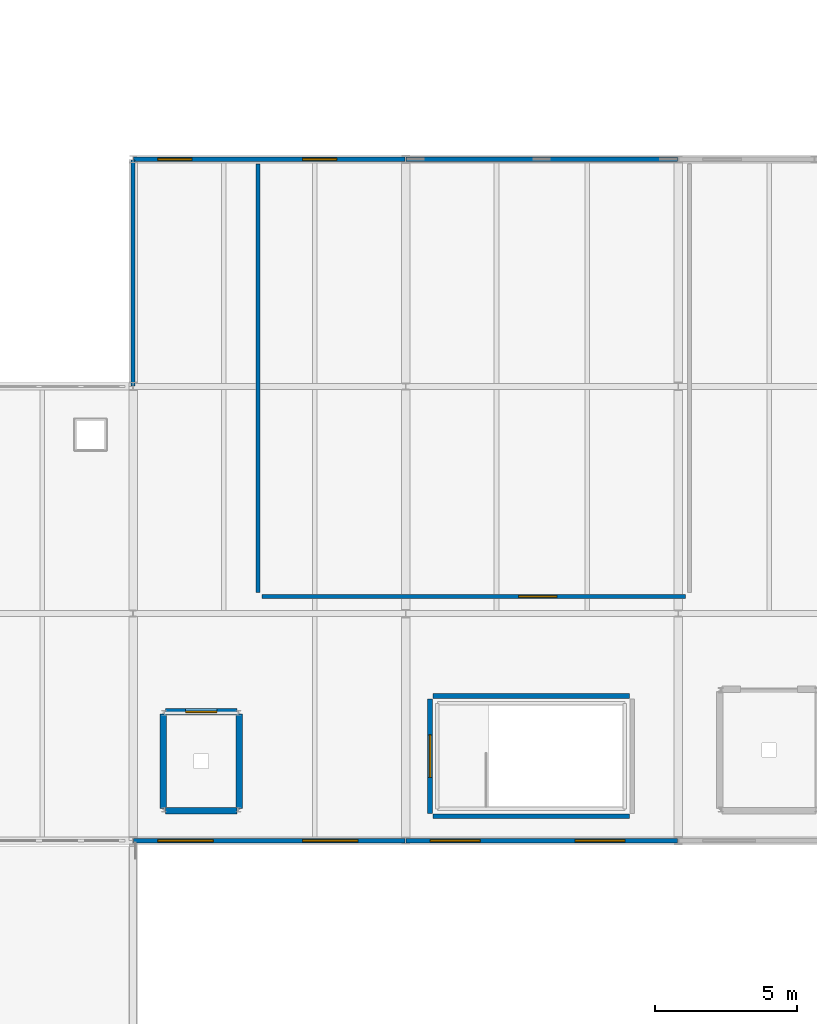
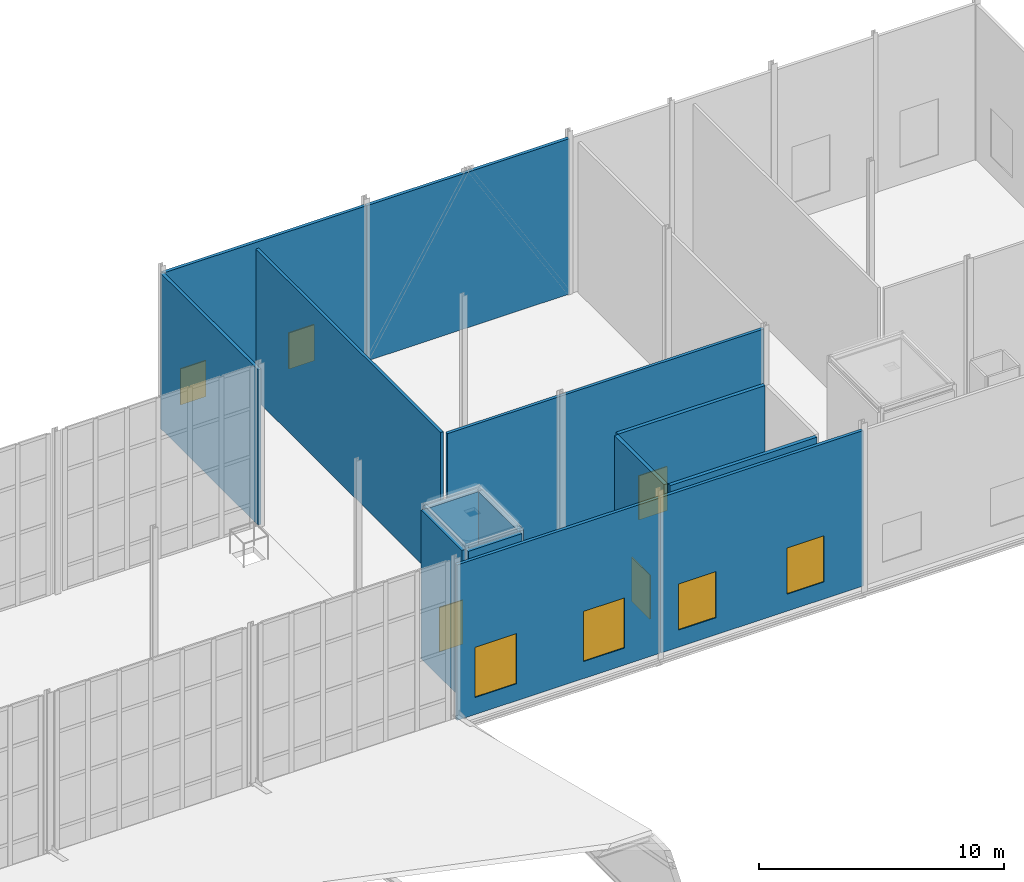
# One storey, part 66 of 73: 14 walls, 6 windows, 3 doors, 9 openings.
"""IFC4 building model written with IfcOpenShell, lengths in metres."""

from ifc_helpers import new_model, si_unit, direction, frame, frame_2d, origin, place, context, subcontext, project, spatial, rectangle, extrude, material, layer, layer_set, type_object, element, fill, save


model = new_model("IFC4")

# Units and contexts
model_context = context("Model", 3, precision=1e-05, world=origin(), true_north=direction((0.0, 1.0)))
body_context = subcontext(model_context, "Body", "Model", "MODEL_VIEW")
ifc_project = project(units=[si_unit("LENGTHUNIT", "METRE"), si_unit("AREAUNIT", "SQUARE_METRE"), si_unit("VOLUMEUNIT", "CUBIC_METRE"), si_unit("PLANEANGLEUNIT", "RADIAN"), si_unit("MASSUNIT", "GRAM", prefix="KILO")], contexts=[model_context])

# Site, building, storey
site_placement = place(None, origin())
site = spatial("IfcSite", under=ifc_project, at=site_placement, CompositionType="ELEMENT")
building_placement = place(site_placement, origin())
building = spatial("IfcBuilding", under=site, at=building_placement, Name="Alderhovde Museum", CompositionType="ELEMENT")
storey_placement = place(building_placement, frame((0.0, 0.0, 17.39990234375)))
storey = spatial("IfcBuildingStorey", under=building, at=storey_placement, Name="L04", CompositionType="ELEMENT", Elevation=17.39990234375)

# Wall, openings, windows
ifc_material_1 = material(Name="Limestone Ashlar Rainscreen Wall", Category="masonry")
ifc_layer_1 = layer(ifc_material_1, 0.14990234375)
ifc_layer_set_1 = layer_set([ifc_layer_1], Name="Limestone Ashlar Rainscreen Wall")
wall_type_1 = type_object("IfcWallType", Name="EW-LIME-340", PredefinedType="SOLIDWALL", material=ifc_layer_set_1)
wall_1_placement = place(storey_placement, frame((115.219970703125, 72.0, 0.0), z_axis=(0.0, 0.0, 1.0), x_axis=(1.0, 0.0, 0.0)))
wall_1 = element("IfcWall", 1, at=wall_1_placement, inside=storey, type_object=wall_type_1, Name="L04 Conservation South Beaux-Arts Wall 248", PredefinedType="SOLIDWALL", context=body_context, shape_type="SweptSolid", body=[
    extrude(rectangle(XDim=9.56005859375, YDim=0.14990234375, at=frame_2d((4.780029296875, 0.0))), origin(), (0.0, 0.0, 1.0), 7.75),
])
opening_1_placement = place(wall_1_placement, frame((0.85009765625, 0.0, 0.85009765625)))
opening_1 = element("IfcOpeningElement", 2, at=opening_1_placement, cuts=wall_1, Name="Opening W25", PredefinedType="OPENING", context=body_context, shape_type="SweptSolid", body=[
    extrude(rectangle(XDim=1.949951171875, YDim=2.5, at=frame_2d((0.97509765625, 1.25))), frame((0.0, 0.0849609375, 0.0), z_axis=(0.0, -1.0, 0.0), x_axis=(1.0, 0.0, 0.0)), (0.0, 0.0, 1.0), 0.169921875),
])
opening_2_placement = place(wall_1_placement, frame((5.949951171875, 0.0, 0.85009765625)))
opening_2 = element("IfcOpeningElement", 3, at=opening_2_placement, cuts=wall_1, Name="Opening W25", PredefinedType="OPENING", context=body_context, shape_type="SweptSolid", body=[
    extrude(rectangle(XDim=1.949951171875, YDim=2.5, at=frame_2d((0.97509765625, 1.25))), frame((0.0, 0.0849609375, 0.0), z_axis=(0.0, -1.0, 0.0), x_axis=(1.0, 0.0, 0.0)), (0.0, 0.0, 1.0), 0.169921875),
])
ifc_material_2 = material(Name="Triple-Glazed Low-E Bronze-Anodised Aluminium", Category="aluminium")
window_type_1 = type_object("IfcWindowType", Name="WIN-BA-1950x2500", PartitioningType="DOUBLE_PANEL_VERTICAL", PredefinedType="WINDOW", material=ifc_material_2)
window_1_placement = place(opening_1_placement, origin())
window_1 = element("IfcWindow", 4, at=window_1_placement, inside=storey, type_object=window_type_1, Name="L04 Facade Window 234", OverallHeight=2.5, OverallWidth=1.949951171875, PartitioningType="SINGLE_PANEL", PredefinedType="WINDOW", context=body_context, shape_type="SweptSolid", body=[
    extrude(rectangle(XDim=1.949951171875, YDim=2.5, at=frame_2d((0.97509765625, 1.25))), frame((0.0, 0.030029296875, 0.0), z_axis=(0.0, -1.0, 0.0), x_axis=(1.0, 0.0, 0.0)), (0.0, 0.0, 1.0), 0.06005859375),
])
fill(opening_1, window_1)
window_2_placement = place(opening_2_placement, origin())
window_2 = element("IfcWindow", 5, at=window_2_placement, inside=storey, type_object=window_type_1, Name="L04 Facade Window 235", OverallHeight=2.5, OverallWidth=1.949951171875, PartitioningType="SINGLE_PANEL", PredefinedType="WINDOW", context=body_context, shape_type="SweptSolid", body=[
    extrude(rectangle(XDim=1.949951171875, YDim=2.5, at=frame_2d((0.97509765625, 1.25))), frame((0.0, 0.030029296875, 0.0), z_axis=(0.0, -1.0, 0.0), x_axis=(1.0, 0.0, 0.0)), (0.0, 0.0, 1.0), 0.06005859375),
])
fill(opening_2, window_2)

wall_2_placement = place(storey_placement, frame((124.820068359375, 72.0, 0.0), z_axis=(0.0, 0.0, 1.0), x_axis=(1.0, 0.0, 0.0)))
wall_2 = element("IfcWall", 6, at=wall_2_placement, inside=storey, type_object=wall_type_1, Name="L04 Conservation South Beaux-Arts Wall 249", PredefinedType="SOLIDWALL", context=body_context, shape_type="SweptSolid", body=[
    extrude(rectangle(XDim=9.559814453125, YDim=0.14990234375, at=frame_2d((4.77978515625, 0.0))), origin(), (0.0, 0.0, 1.0), 7.75),
])
opening_3_placement = place(wall_2_placement, frame((0.85009765625, 0.0, 0.85009765625)))
opening_3 = element("IfcOpeningElement", 7, at=opening_3_placement, cuts=wall_2, Name="Opening W26", PredefinedType="OPENING", context=body_context, shape_type="SweptSolid", body=[
    extrude(rectangle(XDim=1.75, YDim=2.300048828125, at=frame_2d((0.875, 1.14990234375))), frame((0.0, 0.0849609375, 0.0), z_axis=(0.0, -1.0, 0.0), x_axis=(1.0, 0.0, 0.0)), (0.0, 0.0, 1.0), 0.169921875),
])
opening_4_placement = place(wall_2_placement, frame((5.949951171875, 0.0, 0.85009765625)))
opening_4 = element("IfcOpeningElement", 8, at=opening_4_placement, cuts=wall_2, Name="Opening W26", PredefinedType="OPENING", context=body_context, shape_type="SweptSolid", body=[
    extrude(rectangle(XDim=1.75, YDim=2.300048828125, at=frame_2d((0.875, 1.14990234375))), frame((0.0, 0.0849609375, 0.0), z_axis=(0.0, -1.0, 0.0), x_axis=(1.0, 0.0, 0.0)), (0.0, 0.0, 1.0), 0.169921875),
])
ifc_material_3 = material(Name="Triple-Glazed Low-E Bronze-Anodised Aluminium", Category="aluminium")
window_type_2 = type_object("IfcWindowType", Name="WIN-BA-1750x2300", PartitioningType="DOUBLE_PANEL_VERTICAL", PredefinedType="WINDOW", material=ifc_material_3)
window_3_placement = place(opening_3_placement, origin())
window_3 = element("IfcWindow", 9, at=window_3_placement, inside=storey, type_object=window_type_2, Name="L04 Facade Window 236", OverallHeight=2.300048828125, OverallWidth=1.75, PartitioningType="SINGLE_PANEL", PredefinedType="WINDOW", context=body_context, shape_type="SweptSolid", body=[
    extrude(rectangle(XDim=1.75, YDim=2.300048828125, at=frame_2d((0.875, 1.14990234375))), frame((0.0, 0.030029296875, 0.0), z_axis=(0.0, -1.0, 0.0), x_axis=(1.0, 0.0, 0.0)), (0.0, 0.0, 1.0), 0.06005859375),
])
fill(opening_3, window_3)
window_4_placement = place(opening_4_placement, origin())
window_4 = element("IfcWindow", 10, at=window_4_placement, inside=storey, type_object=window_type_2, Name="L04 Facade Window 237", OverallHeight=2.300048828125, OverallWidth=1.75, PartitioningType="SINGLE_PANEL", PredefinedType="WINDOW", context=body_context, shape_type="SweptSolid", body=[
    extrude(rectangle(XDim=1.75, YDim=2.300048828125, at=frame_2d((0.875, 1.14990234375))), frame((0.0, 0.030029296875, 0.0), z_axis=(0.0, -1.0, 0.0), x_axis=(1.0, 0.0, 0.0)), (0.0, 0.0, 1.0), 0.06005859375),
])
fill(opening_4, window_4)

wall_3_placement = place(storey_placement, frame((115.219970703125, 96.0, 0.0), z_axis=(0.0, 0.0, 1.0), x_axis=(1.0, 0.0, 0.0)))
wall_3 = element("IfcWall", 11, at=wall_3_placement, inside=storey, type_object=wall_type_1, Name="L04 Conservation North Beaux-Arts Wall 252", PredefinedType="SOLIDWALL", context=body_context, shape_type="SweptSolid", body=[
    extrude(rectangle(XDim=9.56005859375, YDim=0.14990234375, at=frame_2d((4.780029296875, 0.0))), origin(), (0.0, 0.0, 1.0), 7.75),
])
opening_5_placement = place(wall_3_placement, frame((0.85009765625, 0.0, 0.85009765625)))
opening_5 = element("IfcOpeningElement", 12, at=opening_5_placement, cuts=wall_3, Name="Opening W14", PredefinedType="OPENING", context=body_context, shape_type="SweptSolid", body=[
    extrude(rectangle(XDim=1.199951171875, YDim=1.800048828125, at=frame_2d((0.60009765625, 0.89990234375))), frame((0.0, 0.0849609375, 0.0), z_axis=(0.0, -1.0, 0.0), x_axis=(1.0, 0.0, 0.0)), (0.0, 0.0, 1.0), 0.169921875),
])
opening_6_placement = place(wall_3_placement, frame((5.949951171875, 0.0, 0.85009765625)))
opening_6 = element("IfcOpeningElement", 13, at=opening_6_placement, cuts=wall_3, Name="Opening W14", PredefinedType="OPENING", context=body_context, shape_type="SweptSolid", body=[
    extrude(rectangle(XDim=1.199951171875, YDim=1.800048828125, at=frame_2d((0.60009765625, 0.89990234375))), frame((0.0, 0.0849609375, 0.0), z_axis=(0.0, -1.0, 0.0), x_axis=(1.0, 0.0, 0.0)), (0.0, 0.0, 1.0), 0.169921875),
])
ifc_material_4 = material(Name="Triple-Glazed Low-E Bronze-Anodised Aluminium", Category="aluminium")
window_type_3 = type_object("IfcWindowType", Name="WIN-ATT-1200x1800", PartitioningType="SINGLE_PANEL", PredefinedType="WINDOW", material=ifc_material_4)
window_5_placement = place(opening_5_placement, origin())
window_5 = element("IfcWindow", 14, at=window_5_placement, inside=storey, type_object=window_type_3, Name="L04 Facade Window 242", OverallHeight=1.800048828125, OverallWidth=1.199951171875, PartitioningType="SINGLE_PANEL", PredefinedType="WINDOW", context=body_context, shape_type="SweptSolid", body=[
    extrude(rectangle(XDim=1.199951171875, YDim=1.800048828125, at=frame_2d((0.60009765625, 0.89990234375))), frame((0.0, 0.030029296875, 0.0), z_axis=(0.0, -1.0, 0.0), x_axis=(1.0, 0.0, 0.0)), (0.0, 0.0, 1.0), 0.06005859375),
])
fill(opening_5, window_5)
window_6_placement = place(opening_6_placement, origin())
window_6 = element("IfcWindow", 15, at=window_6_placement, inside=storey, type_object=window_type_3, Name="L04 Facade Window 243", OverallHeight=1.800048828125, OverallWidth=1.199951171875, PartitioningType="SINGLE_PANEL", PredefinedType="WINDOW", context=body_context, shape_type="SweptSolid", body=[
    extrude(rectangle(XDim=1.199951171875, YDim=1.800048828125, at=frame_2d((0.60009765625, 0.89990234375))), frame((0.0, 0.030029296875, 0.0), z_axis=(0.0, -1.0, 0.0), x_axis=(1.0, 0.0, 0.0)), (0.0, 0.0, 1.0), 0.06005859375),
])
fill(opening_6, window_6)

# Walls
wall_4_placement = place(storey_placement, frame((124.820068359375, 96.0, 0.0), z_axis=(0.0, 0.0, 1.0), x_axis=(1.0, 0.0, 0.0)))
element("IfcWall", 16, at=wall_4_placement, inside=storey, type_object=wall_type_1, Name="L04 Conservation North Beaux-Arts Wall 253", PredefinedType="SOLIDWALL", context=body_context, shape_type="SweptSolid", body=[
    extrude(rectangle(XDim=9.559814453125, YDim=0.14990234375, at=frame_2d((4.77978515625, 0.0))), origin(), (0.0, 0.0, 1.0), 7.75),
])
wall_5_placement = place(storey_placement, frame((115.199951171875, 88.02001953125, 0.0), z_axis=(0.0, 0.0, 1.0), x_axis=(0.0, 1.0, 0.0)))
element("IfcWall", 17, at=wall_5_placement, inside=storey, type_object=wall_type_1, Name="L04 Conservation West Return Wall 259", PredefinedType="SOLIDWALL", context=body_context, shape_type="SweptSolid", body=[
    extrude(rectangle(XDim=7.9599609375, YDim=0.14990234375, at=frame_2d((3.97998046875, 0.0))), origin(), (0.0, 0.0, 1.0), 7.75),
])

# Wall, opening, door
ifc_material_5 = material(Name="Hygienic Conservation Laboratory Partition")
ifc_layer_2 = layer(ifc_material_5, 0.139892578125)
ifc_layer_set_2 = layer_set([ifc_layer_2], Name="Hygienic Conservation Laboratory Partition")
wall_type_2 = type_object("IfcWallType", Name="IW-LAB-140", PredefinedType="PARTITIONING", material=ifc_layer_set_2)
wall_6_placement = place(storey_placement, frame((119.739990234375, 80.60009765625, 0.0), z_axis=(0.0, 0.0, 1.0), x_axis=(1.0, 0.0, 0.0)))
wall_6 = element("IfcWall", 18, at=wall_6_placement, inside=storey, type_object=wall_type_2, Name="L04 Optical Conservation Laboratory Partition Wall S", PredefinedType="PARTITIONING", context=body_context, shape_type="SweptSolid", body=[
    extrude(rectangle(XDim=14.919921875, YDim=0.139892578125, at=frame_2d((7.4599609375, 0.0))), origin(), (0.0, 0.0, 1.0), 7.5),
])
opening_7_placement = place(wall_6_placement, frame((9.0400390625, 0.0, 0.0)))
opening_7 = element("IfcOpeningElement", 19, at=opening_7_placement, cuts=wall_6, Name="Opening FD-4", PredefinedType="OPENING", context=body_context, shape_type="SweptSolid", body=[
    extrude(rectangle(XDim=1.35009765625, YDim=2.199951171875, at=frame_2d((0.675048828125, 1.10009765625))), frame((0.0, 0.080078125, 0.0), z_axis=(0.0, -1.0, 0.0), x_axis=(1.0, 0.0, 0.0)), (0.0, 0.0, 1.0), 0.159912109375),
])
ifc_material_6 = material(Name="Fire-Rated Conservation Lab Door (Steel/Oak)", Category="steel")
door_type_1 = type_object("IfcDoorType", Name="FD-LAB-1350x2200", OperationType="NOTDEFINED", PredefinedType="DOOR", material=ifc_material_6)
door_1_placement = place(opening_7_placement, origin())
door_1 = element("IfcDoor", 20, at=door_1_placement, inside=storey, type_object=door_type_1, Name="L04 Optical Conservation Laboratory Door", OperationType="SINGLE_SWING_RIGHT", OverallHeight=2.199951171875, OverallWidth=1.35009765625, PredefinedType="DOOR", context=body_context, shape_type="SweptSolid", body=[
    extrude(rectangle(XDim=1.35009765625, YDim=2.199951171875, at=frame_2d((0.675048828125, 1.10009765625))), frame((0.0, 0.02490234375, 0.0), z_axis=(0.0, -1.0, 0.0), x_axis=(1.0, 0.0, 0.0)), (0.0, 0.0, 1.0), 0.050048828125),
])
fill(opening_7, door_1)

# Walls
wall_7_placement = place(storey_placement, frame((119.60009765625, 80.739990234375, 0.0), z_axis=(0.0, 0.0, 1.0), x_axis=(0.0, 1.0, 0.0)))
element("IfcWall", 21, at=wall_7_placement, inside=storey, type_object=wall_type_2, Name="L04 Optical Conservation Laboratory Partition Wall W", PredefinedType="PARTITIONING", context=body_context, shape_type="SweptSolid", body=[
    extrude(rectangle(XDim=15.090087890625, YDim=0.139892578125, at=frame_2d((7.544921875, 0.0))), origin(), (0.0, 0.0, 1.0), 7.5),
])
ifc_material_7 = material(Name="Concrete C40/50 and Fireboard Shaft Wall", Category="concrete")
ifc_layer_3 = layer(ifc_material_7, 0.22998046875)
ifc_layer_set_3 = layer_set([ifc_layer_3], Name="Concrete C40/50 and Fireboard Shaft Wall")
wall_type_3 = type_object("IfcWallType", Name="IW-SHAFT-230", PredefinedType="SOLIDWALL", material=ifc_layer_set_3)
wall_8_placement = place(storey_placement, frame((116.340087890625, 73.06005859375, 0.0), z_axis=(0.0, 0.0, 1.0), x_axis=(1.0, 0.0, 0.0)))
element("IfcWall", 22, at=wall_8_placement, inside=storey, type_object=wall_type_3, Name="L04 Passenger Lift PL-03 Shaft Wall South", PredefinedType="SOLIDWALL", context=body_context, shape_type="SweptSolid", body=[
    extrude(rectangle(XDim=2.52001953125, YDim=0.22998046875, at=frame_2d((1.260009765625, 0.0))), origin(), (0.0, 0.0, 1.0), 7.420166015625),
])

# Wall, opening, door
wall_9_placement = place(storey_placement, frame((116.340087890625, 76.5400390625, 0.0), z_axis=(0.0, 0.0, 1.0), x_axis=(1.0, 0.0, 0.0)))
wall_9 = element("IfcWall", 23, at=wall_9_placement, inside=storey, type_object=wall_type_3, Name="L04 Passenger Lift PL-03 Shaft Wall North", PredefinedType="SOLIDWALL", context=body_context, shape_type="SweptSolid", body=[
    extrude(rectangle(XDim=2.52001953125, YDim=0.22998046875, at=frame_2d((1.260009765625, 0.0))), origin(), (0.0, 0.0, 1.0), 7.420166015625),
])
opening_8_placement = place(wall_9_placement, frame((0.7099609375, 0.0, 0.0)))
opening_8 = element("IfcOpeningElement", 24, at=opening_8_placement, cuts=wall_9, Name="Opening LD-1", PredefinedType="OPENING", context=body_context, shape_type="SweptSolid", body=[
    extrude(rectangle(XDim=1.10009765625, YDim=2.199951171875, at=frame_2d((0.550048828125, 1.10009765625))), frame((0.0, 0.125, 0.0), z_axis=(0.0, -1.0, 0.0), x_axis=(1.0, 0.0, 0.0)), (0.0, 0.0, 1.0), 0.25),
])
ifc_material_8 = material(Name="Passenger Lift Sliding Landing Door (Steel/Oak)", Category="steel")
door_type_2 = type_object("IfcDoorType", Name="LD-PASS-1100x2200", OperationType="SLIDING_TO_LEFT", PredefinedType="DOOR", material=ifc_material_8)
door_2_placement = place(opening_8_placement, origin())
door_2 = element("IfcDoor", 25, at=door_2_placement, inside=storey, type_object=door_type_2, Name="L04 Passenger Lift PL-03 Landing Door", OperationType="SLIDING_TO_LEFT", OverallHeight=2.199951171875, OverallWidth=1.10009765625, PredefinedType="DOOR", context=body_context, shape_type="SweptSolid", body=[
    extrude(rectangle(XDim=1.10009765625, YDim=2.199951171875, at=frame_2d((0.550048828125, 1.10009765625))), frame((0.0, 0.02490234375, 0.0), z_axis=(0.0, -1.0, 0.0), x_axis=(1.0, 0.0, 0.0)), (0.0, 0.0, 1.0), 0.050048828125),
])
fill(opening_8, door_2)

# Walls
for number, where, z_axis, x_axis, name in (
    (26, (116.260009765625, 73.139892578125, 0.0), (0.0, 0.0, 1.0), (0.0, 1.0, 0.0), "L04 Passenger Lift PL-03 Shaft Wall West"),
    (27, (118.93994140625, 73.139892578125, 0.0), (0.0, 0.0, 1.0), (0.0, 1.0, 0.0), "L04 Passenger Lift PL-03 Shaft Wall East"),
):
    element("IfcWall", number, at=place(storey_placement, frame(where, z_axis=z_axis, x_axis=x_axis)), inside=storey, type_object=wall_type_3, Name=name, PredefinedType="SOLIDWALL", context=body_context, shape_type="SweptSolid", body=[
        extrude(rectangle(XDim=3.320068359375, YDim=0.22998046875, at=frame_2d((1.66015625, 0.0))), origin(), (0.0, 0.0, 1.0), 7.420166015625),
    ])

# Wall, opening, door
ifc_material_9 = material(Name="Fire-Resisting Stair Lobby Wall")
ifc_layer_4 = layer(ifc_material_9, 0.169921875)
ifc_layer_set_4 = layer_set([ifc_layer_4], Name="Fire-Resisting Stair Lobby Wall")
wall_type_4 = type_object("IfcWallType", Name="IW-STAIR-170", PredefinedType="SOLIDWALL", material=ifc_layer_set_4)
wall_10_placement = place(storey_placement, frame((125.659912109375, 72.9599609375, 0.0), z_axis=(0.0, 0.0, 1.0), x_axis=(0.0, 1.0, 0.0)))
wall_10 = element("IfcWall", 28, at=wall_10_placement, inside=storey, type_object=wall_type_4, Name="L04 Escape Stair ST4 Fire Wall W", PredefinedType="SOLIDWALL", context=body_context, shape_type="SweptSolid", body=[
    extrude(rectangle(XDim=4.0400390625, YDim=0.169921875, at=frame_2d((2.02001953125, 0.0))), origin(), (0.0, 0.0, 1.0), 7.5),
])
opening_9_placement = place(wall_10_placement, frame((1.27001953125, 0.0, 0.0)))
opening_9 = element("IfcOpeningElement", 29, at=opening_9_placement, cuts=wall_10, Name="Opening FD-1", PredefinedType="OPENING", context=body_context, shape_type="SweptSolid", body=[
    extrude(rectangle(XDim=1.5, YDim=2.199951171875, at=frame_2d((0.75, 1.10009765625))), frame((0.0, 0.094970703125, 0.0), z_axis=(0.0, -1.0, 0.0), x_axis=(1.0, 0.0, 0.0)), (0.0, 0.0, 1.0), 0.18994140625),
])
ifc_material_10 = material(Name="Fire-Rated Steel Stair Escape Door (Steel/Oak)", Category="steel")
door_type_3 = type_object("IfcDoorType", Name="FD-STAIR-1500x2200", OperationType="NOTDEFINED", PredefinedType="DOOR", material=ifc_material_10)
door_3_placement = place(opening_9_placement, origin())
door_3 = element("IfcDoor", 30, at=door_3_placement, inside=storey, type_object=door_type_3, Name="L04 Escape Stair ST4 Fire Door", OperationType="SINGLE_SWING_LEFT", OverallHeight=2.199951171875, OverallWidth=1.5, PredefinedType="DOOR", context=body_context, shape_type="SweptSolid", body=[
    extrude(rectangle(XDim=1.5, YDim=2.199951171875, at=frame_2d((0.75, 1.10009765625))), frame((0.0, 0.02490234375, 0.0), z_axis=(0.0, -1.0, 0.0), x_axis=(1.0, 0.0, 0.0)), (0.0, 0.0, 1.0), 0.050048828125),
])
fill(opening_9, door_3)

# Walls
for number, where, z_axis, x_axis, name in (
    (31, (125.760009765625, 72.860107421875, 0.0), (0.0, 0.0, 1.0), (1.0, 0.0, 0.0), "L04 Escape Stair ST4 Fire Wall S"),
    (32, (125.760009765625, 77.10009765625, 0.0), (0.0, 0.0, 1.0), (1.0, 0.0, 0.0), "L04 Escape Stair ST4 Fire Wall N"),
):
    element("IfcWall", number, at=place(storey_placement, frame(where, z_axis=z_axis, x_axis=x_axis)), inside=storey, type_object=wall_type_4, Name=name, PredefinedType="SOLIDWALL", context=body_context, shape_type="SweptSolid", body=[
        extrude(rectangle(XDim=6.919921875, YDim=0.169921875, at=frame_2d((3.4599609375, 0.0))), origin(), (0.0, 0.0, 1.0), 7.5),
    ])

save(model, "model.ifc")
